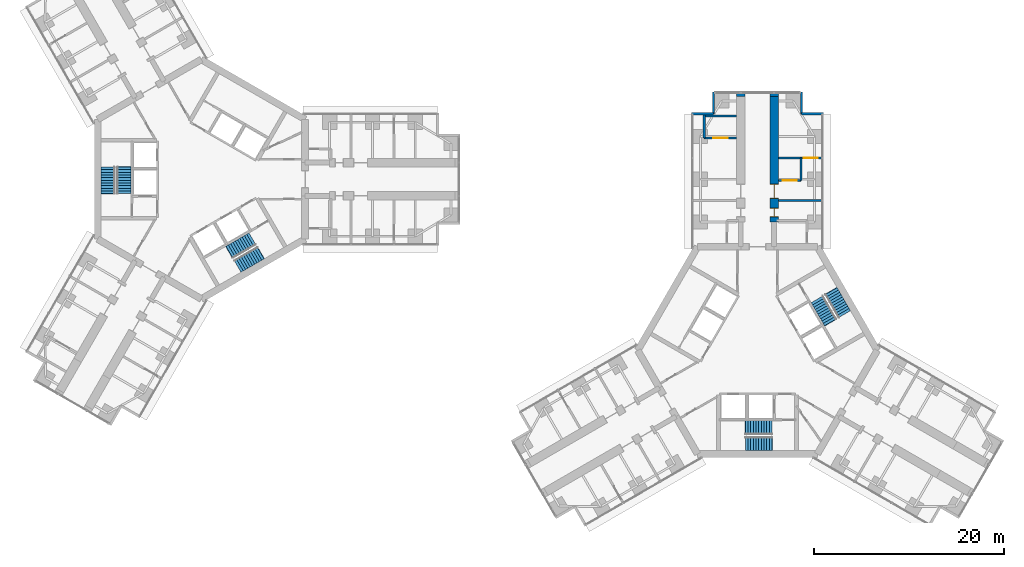
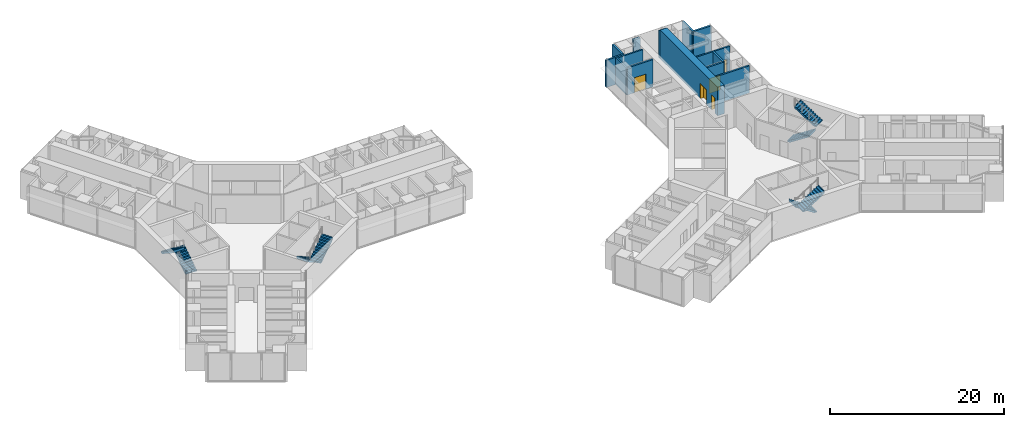
# One storey, part 21 of 22: 14 walls, 8 stair flights, 5 doors, 5 openings, 4 elements without a shape of their own.
"""IFC4 building model written with IfcOpenShell, lengths in metres."""

from ifc_helpers import new_model, si_unit, direction, frame, frame_2d, origin, place, context, subcontext, project, spatial, polyline, rectangle, outline, extrude, material, layer, layer_set, type_object, element, fill, aggregate, save


model = new_model("IFC4")

# Units and contexts
model_context = context("Model", 3, precision=1e-05, world=origin(), true_north=direction((0.0, 1.0)))
body_context = subcontext(model_context, "Body", "Model", "MODEL_VIEW")
ifc_project = project(units=[si_unit("LENGTHUNIT", "METRE"), si_unit("AREAUNIT", "SQUARE_METRE"), si_unit("VOLUMEUNIT", "CUBIC_METRE"), si_unit("PLANEANGLEUNIT", "RADIAN"), si_unit("MASSUNIT", "GRAM", prefix="KILO")], contexts=[model_context])

# Site, building, storey
site_placement = place(None, origin())
site = spatial("IfcSite", under=ifc_project, at=site_placement, CompositionType="ELEMENT")
building_placement = place(site_placement, origin())
building = spatial("IfcBuilding", under=site, at=building_placement, Name="Upepo Twin Towers", CompositionType="ELEMENT")
storey_placement = place(building_placement, frame((0.0, 0.0, 36.5)))
storey = spatial("IfcBuildingStorey", under=building, at=storey_placement, Name="L08", CompositionType="ELEMENT", Elevation=36.5)

# Wall
ifc_material_1 = material(Name="Concrete blockwork, plastered both faces", Category="masonry")
ifc_layer_1 = layer(ifc_material_1, 0.215087890625)
ifc_layer_set_1 = layer_set([ifc_layer_1], Name="Blockwork partition 215")
wall_type_1 = type_object("IfcWallType", Name="Blockwork partition 215", PredefinedType="PARTITIONING", material=ifc_layer_set_1)
wall_1_placement = place(storey_placement, frame((52.89990234375, 4.35009765625, 0.0), z_axis=(0.0, 0.0, 1.0), x_axis=(0.0, 1.0, 0.0)))
element("IfcWall", 1, at=wall_1_placement, inside=storey, type_object=wall_type_1, Name="T2 inner room partition AL at 22.35", PredefinedType="PARTITIONING", context=body_context, shape_type="SweptSolid", body=[
    extrude(rectangle(XDim=2.39990234375, YDim=0.215087890625, at=frame_2d((1.199951171875, 0.0))), origin(), (0.0, 0.0, 1.0), 3.800048828125),
])

# Wall, opening, door
wall_2_placement = place(storey_placement, frame((56.300048828125, 4.35009765625, 0.0), z_axis=(0.0, 0.0, 1.0), x_axis=(-1.0, 0.0, 0.0)))
wall_2 = element("IfcWall", 2, at=wall_2_placement, inside=storey, type_object=wall_type_1, Name="T2 inner room partition AL end at 22.35", PredefinedType="PARTITIONING", context=body_context, shape_type="SweptSolid", body=[
    extrude(rectangle(XDim=3.400146484375, YDim=0.215087890625, at=frame_2d((1.7001953125, 0.0))), origin(), (0.0, 0.0, 1.0), 3.800048828125),
])
opening_1_placement = place(wall_2_placement, frame((0.949951171875, 0.0, 0.0)))
opening_1 = element("IfcOpeningElement", 3, at=opening_1_placement, cuts=wall_2, Name="Opening D13", PredefinedType="OPENING", context=body_context, shape_type="SweptSolid", body=[
    extrude(rectangle(XDim=1.5, YDim=2.10009765625, at=frame_2d((0.75, 1.050048828125))), frame((0.0, 0.117431640625, 0.0), z_axis=(0.0, -1.0, 0.0), x_axis=(1.0, 0.0, 0.0)), (0.0, 0.0, 1.0), 0.235107421875),
])
ifc_material_2 = material(Name="Timber doorset", Category="wood")
door_type_1 = type_object("IfcDoorType", Name="Double door 1500 FD30", OperationType="DOUBLE_DOOR_SINGLE_SWING", PredefinedType="DOOR", material=ifc_material_2)
door_1_placement = place(opening_1_placement, origin())
door_1 = element("IfcDoor", 4, at=door_1_placement, inside=storey, type_object=door_type_1, Name="T2 L08 inner room door", OperationType="DOUBLE_DOOR_SINGLE_SWING", OverallHeight=2.10009765625, OverallWidth=1.5, PredefinedType="DOOR", context=body_context, shape_type="SweptSolid", body=[
    extrude(rectangle(XDim=1.5, YDim=2.10009765625, at=frame_2d((0.75, 1.050048828125))), frame((0.0, 0.02490234375, 0.0), z_axis=(0.0, -1.0, 0.0), x_axis=(1.0, 0.0, 0.0)), (0.0, 0.0, 1.0), 0.050048828125),
])
fill(opening_1, door_1)

# Walls
wall_3_placement = place(storey_placement, frame((56.300048828125, 6.642578125, 0.0), z_axis=(0.0, 0.0, 1.0), x_axis=(-1.0, 0.0, 0.0)))
element("IfcWall", 5, at=wall_3_placement, inside=storey, type_object=wall_type_1, Name="T2 inner room partition AL end at 24.75", PredefinedType="PARTITIONING", context=body_context, shape_type="SweptSolid", body=[
    extrude(rectangle(XDim=3.400146484375, YDim=0.215087890625, at=frame_2d((1.7001953125, 0.0))), origin(), (0.0, 0.0, 1.0), 3.800048828125),
])
wall_4_placement = place(storey_placement, frame((60.699951171875, -2.25, 0.0), z_axis=(0.0, 0.0, 1.0), x_axis=(1.0, 0.0, 0.0)))
element("IfcWall", 6, at=wall_4_placement, inside=storey, type_object=wall_type_1, Name="T2 partition AR at 15.75", PredefinedType="PARTITIONING", context=body_context, shape_type="SweptSolid", body=[
    extrude(rectangle(XDim=4.550048828125, YDim=0.215087890625, at=frame_2d((2.27490234375, 0.0))), origin(), (0.0, 0.0, 1.0), 3.800048828125),
])

# Wall, opening, door
wall_5_placement = place(storey_placement, frame((60.699951171875, 2.25, 0.0), z_axis=(0.0, 0.0, 1.0), x_axis=(1.0, 0.0, 0.0)))
wall_5 = element("IfcWall", 7, at=wall_5_placement, inside=storey, type_object=wall_type_1, Name="T2 partition AR at 20.25", PredefinedType="PARTITIONING", context=body_context, shape_type="SweptSolid", body=[
    extrude(rectangle(XDim=4.550048828125, YDim=0.215087890625, at=frame_2d((2.27490234375, 0.0))), origin(), (0.0, 0.0, 1.0), 3.800048828125),
])
opening_2_placement = place(wall_5_placement, frame((2.64990234375, 0.0, 0.0)))
opening_2 = element("IfcOpeningElement", 8, at=opening_2_placement, cuts=wall_5, Name="Opening D13", PredefinedType="OPENING", context=body_context, shape_type="SweptSolid", body=[
    extrude(rectangle(XDim=1.5, YDim=2.10009765625, at=frame_2d((0.75, 1.050048828125))), frame((0.0, 0.117431640625, 0.0), z_axis=(0.0, -1.0, 0.0), x_axis=(1.0, 0.0, 0.0)), (0.0, 0.0, 1.0), 0.235107421875),
])
door_2_placement = place(opening_2_placement, origin())
door_2 = element("IfcDoor", 9, at=door_2_placement, inside=storey, type_object=door_type_1, Name="T2 L08 connecting door", OperationType="DOUBLE_DOOR_SINGLE_SWING", OverallHeight=2.10009765625, OverallWidth=1.5, PredefinedType="DOOR", context=body_context, shape_type="SweptSolid", body=[
    extrude(rectangle(XDim=1.5, YDim=2.10009765625, at=frame_2d((0.75, 1.050048828125))), frame((0.0, 0.02490234375, 0.0), z_axis=(0.0, -1.0, 0.0), x_axis=(1.0, 0.0, 0.0)), (0.0, 0.0, 1.0), 0.050048828125),
])
fill(opening_2, door_2)

# Wall
wall_6_placement = place(storey_placement, frame((63.10009765625, -0.14990234375, 0.0), z_axis=(0.0, 0.0, 1.0), x_axis=(0.0, 1.0, 0.0)))
element("IfcWall", 10, at=wall_6_placement, inside=storey, type_object=wall_type_1, Name="T2 inner room partition AR at 17.85", PredefinedType="PARTITIONING", context=body_context, shape_type="SweptSolid", body=[
    extrude(rectangle(XDim=2.39990234375, YDim=0.215087890625, at=frame_2d((1.199951171875, 0.0))), origin(), (0.0, 0.0, 1.0), 3.800048828125),
])

# Wall, opening, door
wall_7_placement = place(storey_placement, frame((60.699951171875, -0.14990234375, 0.0), z_axis=(0.0, 0.0, 1.0), x_axis=(1.0, 0.0, 0.0)))
wall_7 = element("IfcWall", 11, at=wall_7_placement, inside=storey, type_object=wall_type_1, Name="T2 inner room partition AR end at 17.85", PredefinedType="PARTITIONING", context=body_context, shape_type="SweptSolid", body=[
    extrude(rectangle(XDim=2.400146484375, YDim=0.215087890625, at=frame_2d((1.2001953125, 0.0))), origin(), (0.0, 0.0, 1.0), 3.800048828125),
])
opening_3_placement = place(wall_7_placement, frame((0.449951171875, 0.0, 0.0)))
opening_3 = element("IfcOpeningElement", 12, at=opening_3_placement, cuts=wall_7, Name="Opening D13", PredefinedType="OPENING", context=body_context, shape_type="SweptSolid", body=[
    extrude(rectangle(XDim=1.5, YDim=2.10009765625, at=frame_2d((0.75, 1.050048828125))), frame((0.0, 0.117431640625, 0.0), z_axis=(0.0, -1.0, 0.0), x_axis=(1.0, 0.0, 0.0)), (0.0, 0.0, 1.0), 0.235107421875),
])
door_3_placement = place(opening_3_placement, origin())
door_3 = element("IfcDoor", 13, at=door_3_placement, inside=storey, type_object=door_type_1, Name="T2 L08 inner room door", OperationType="DOUBLE_DOOR_SINGLE_SWING", OverallHeight=2.10009765625, OverallWidth=1.5, PredefinedType="DOOR", context=body_context, shape_type="SweptSolid", body=[
    extrude(rectangle(XDim=1.5, YDim=2.10009765625, at=frame_2d((0.75, 1.050048828125))), frame((0.0, 0.02490234375, 0.0), z_axis=(0.0, -1.0, 0.0), x_axis=(1.0, 0.0, 0.0)), (0.0, 0.0, 1.0), 0.050048828125),
])
fill(opening_3, door_3)

# Walls
ifc_material_3 = material(Name="Dense concrete blockwork", Category="masonry")
ifc_layer_2 = layer(ifc_material_3, 0.89990234375)
ifc_layer_set_2 = layer_set([ifc_layer_2], Name="Buttress closer 900, blockwork with fire-stopping to the curtain wall")
wall_type_2 = type_object("IfcWallType", Name="Buttress closer 900, blockwork with fire-stopping to the curtain wall", PredefinedType="PARTITIONING", material=ifc_layer_set_2)
for number, where, z_axis, x_axis, name in (
    (14, (56.75, 8.699951171875, 0.0), (0.0, 0.0, 1.0), (0.0, 1.0, 0.0), "T2 L08 wing A buttress closer L"),
    (15, (60.25, 8.699951171875, 0.0), (0.0, 0.0, 1.0), (0.0, 1.0, 0.0), "T2 L08 wing A buttress closer R"),
):
    element("IfcWall", number, at=place(storey_placement, frame(where, z_axis=z_axis, x_axis=x_axis)), inside=storey, type_object=wall_type_2, Name=name, PredefinedType="PARTITIONING", context=body_context, shape_type="SweptSolid", body=[
        extrude(rectangle(XDim=0.31005859375, YDim=0.89990234375, at=frame_2d((0.155029296875, 0.0))), origin(), (0.0, 0.0, 1.0), 3.800048828125),
    ])

# Wall, openings, doors
ifc_material_4 = material(Name="Concrete C60/75", Category="concrete")
ifc_layer_3 = layer(ifc_material_4, 0.89990234375)
ifc_layer_set_3 = layer_set([ifc_layer_3], Name="Concrete C60/75")
wall_type_3 = type_object("IfcWallType", Name="Buttress wall 900 RC", PredefinedType="SHEAR", material=ifc_layer_set_3)
wall_8_placement = place(storey_placement, frame((60.25, -4.5, 0.0), z_axis=(0.0, 0.0, 1.0), x_axis=(0.0, 1.0, 0.0)))
wall_8 = element("IfcWall", 16, at=wall_8_placement, inside=storey, type_object=wall_type_3, Name="T2 wing A buttress wall R part 2", PredefinedType="SHEAR", context=body_context, shape_type="SweptSolid", body=[
    extrude(rectangle(XDim=13.199951171875, YDim=0.89990234375, at=frame_2d((6.60009765625, 0.0))), origin(), (0.0, 0.0, 1.0), 4.0),
])
opening_4_placement = place(wall_8_placement, frame((0.550048828125, 0.0, 0.0)))
opening_4 = element("IfcOpeningElement", 17, at=opening_4_placement, cuts=wall_8, Name="Opening D11", PredefinedType="OPENING", context=body_context, shape_type="SweptSolid", body=[
    extrude(rectangle(XDim=0.89990234375, YDim=2.10009765625, at=frame_2d((0.449951171875, 1.050048828125))), frame((0.0, 0.4599609375, 0.0), z_axis=(0.0, -1.0, 0.0), x_axis=(1.0, 0.0, 0.0)), (0.0, 0.0, 1.0), 0.919921875),
])
opening_5_placement = place(wall_8_placement, frame((2.5, 0.0, 0.0)))
opening_5 = element("IfcOpeningElement", 18, at=opening_5_placement, cuts=wall_8, Name="Opening D13", PredefinedType="OPENING", context=body_context, shape_type="SweptSolid", body=[
    extrude(rectangle(XDim=1.5, YDim=2.10009765625, at=frame_2d((0.75, 1.050048828125))), frame((0.0, 0.4599609375, 0.0), z_axis=(0.0, -1.0, 0.0), x_axis=(1.0, 0.0, 0.0)), (0.0, 0.0, 1.0), 0.919921875),
])
door_4_placement = place(opening_5_placement, origin())
door_4 = element("IfcDoor", 19, at=door_4_placement, inside=storey, type_object=door_type_1, Name="T2 L08 tutorial room door", OperationType="DOUBLE_DOOR_SINGLE_SWING", OverallHeight=2.10009765625, OverallWidth=1.5, PredefinedType="DOOR", context=body_context, shape_type="SweptSolid", body=[
    extrude(rectangle(XDim=1.42, YDim=2.06009765625, at=frame_2d((0.75, 1.030029296875))), frame((0.0, 0.02490234375, 0.0), z_axis=(0.0, -1.0, 0.0), x_axis=(1.0, 0.0, 0.0)), (0.0, 0.0, 1.0), 0.050048828125),
    extrude(rectangle(XDim=0.04, YDim=2.10009765625, at=frame_2d((0.02001953125, 1.050048828125))), frame((0.0, 0.44970703125, 0.0), z_axis=(0.0, -1.0, 0.0), x_axis=(1.0, 0.0, 0.0)), (0.0, 0.0, 1.0), 0.8994140625),
    extrude(rectangle(XDim=0.04, YDim=2.10009765625, at=frame_2d((1.47998046875, 1.050048828125))), frame((0.0, 0.44970703125, 0.0), z_axis=(0.0, -1.0, 0.0), x_axis=(1.0, 0.0, 0.0)), (0.0, 0.0, 1.0), 0.8994140625),
    extrude(rectangle(XDim=1.42, YDim=0.04, at=frame_2d((0.75, 2.080078125))), frame((0.0, 0.44970703125, 0.0), z_axis=(0.0, -1.0, 0.0), x_axis=(1.0, 0.0, 0.0)), (0.0, 0.0, 1.0), 0.8994140625),
])
fill(opening_5, door_4)
ifc_material_5 = material(Name="Timber doorset", Category="wood")
door_type_2 = type_object("IfcDoorType", Name="Toilet door 900", OperationType="SINGLE_SWING_LEFT", PredefinedType="DOOR", material=ifc_material_5)
door_5_placement = place(opening_4_placement, origin())
door_5 = element("IfcDoor", 20, at=door_5_placement, inside=storey, type_object=door_type_2, Name="T2 L08 accessible wc door", OperationType="SINGLE_SWING_LEFT", OverallHeight=2.10009765625, OverallWidth=0.89990234375, PredefinedType="DOOR", context=body_context, shape_type="SweptSolid", body=[
    extrude(rectangle(XDim=0.81990234375, YDim=2.06009765625, at=frame_2d((0.449951171875, 1.030029296875))), frame((0.0, 0.02490234375, 0.0), z_axis=(0.0, -1.0, 0.0), x_axis=(1.0, 0.0, 0.0)), (0.0, 0.0, 1.0), 0.050048828125),
    extrude(rectangle(XDim=0.04, YDim=2.10009765625, at=frame_2d((0.02001953125, 1.050048828125))), frame((0.0, 0.44970703125, 0.0), z_axis=(0.0, -1.0, 0.0), x_axis=(1.0, 0.0, 0.0)), (0.0, 0.0, 1.0), 0.8994140625),
    extrude(rectangle(XDim=0.04, YDim=2.10009765625, at=frame_2d((0.8798828125, 1.050048828125))), frame((0.0, 0.44970703125, 0.0), z_axis=(0.0, -1.0, 0.0), x_axis=(1.0, 0.0, 0.0)), (0.0, 0.0, 1.0), 0.8994140625),
    extrude(rectangle(XDim=0.81990234375, YDim=0.04, at=frame_2d((0.449951171875, 2.080078125))), frame((0.0, 0.44970703125, 0.0), z_axis=(0.0, -1.0, 0.0), x_axis=(1.0, 0.0, 0.0)), (0.0, 0.0, 1.0), 0.8994140625),
])
fill(opening_4, door_5)

# Walls
ifc_material_6 = material(Name="Blockwork with anodised aluminium cladding", Category="masonry")
ifc_layer_4 = layer(ifc_material_6, 0.25)
ifc_layer_set_4 = layer_set([ifc_layer_4], Name="Notch cladding wall 250, pale metal")
wall_type_4 = type_object("IfcWallType", Name="Notch cladding wall 250, pale metal", PredefinedType="STANDARD", material=ifc_layer_set_4)
for number, where, z_axis, x_axis, name in (
    (21, (51.550048828125, 6.875, 0.0), (0.0, 0.0, 1.0), (1.0, 0.0, 0.0), "T2 L08 wing A notch wall L1"),
    (22, (53.875, 6.875, 0.0), (0.0, 0.0, 1.0), (0.0, 1.0, 0.0), "T2 L08 wing A notch wall L2"),
    (23, (65.449951171875, 6.875, 0.0), (0.0, 0.0, 1.0), (-1.0, 0.0, 0.0), "T2 L08 wing A notch wall R1"),
    (24, (63.125, 6.875, 0.0), (0.0, 0.0, 1.0), (0.0, 1.0, 0.0), "T2 L08 wing A notch wall R2"),
):
    element("IfcWall", number, at=place(storey_placement, frame(where, z_axis=z_axis, x_axis=x_axis)), inside=storey, type_object=wall_type_4, Name=name, PredefinedType="STANDARD", context=body_context, shape_type="SweptSolid", body=[
        extrude(rectangle(XDim=2.324951171875, YDim=0.25, at=frame_2d((1.16259765625, 0.0))), origin(), (0.0, 0.0, 1.0), 3.800048828125),
    ])

# Stair, stair flights
ifc_material_7 = material(Name="Concrete C40/50", Category="concrete")
stair_type = type_object("IfcStairType", Name="Core stair, two flights", PredefinedType="HALF_TURN_STAIR", material=ifc_material_7)
stair_1_placement = place(storey_placement, origin())
stair_1 = element("IfcStair", 25, at=stair_1_placement, inside=storey, type_object=stair_type, Name="T1 stair S1 L08", PredefinedType="HALF_TURN_STAIR")
ifc_material_8 = material(Name="Concrete C40/50", Category="concrete")
stair_flight_type = type_object("IfcStairFlightType", Name="Stair flight 1450 RC", PredefinedType="STRAIGHT", material=ifc_material_8)
stair_flight_1_placement = place(storey_placement, frame((-8.125, -1.52001953125, 0.0), z_axis=(0.0, 0.0, 1.0), x_axis=(0.0, 1.0, 0.0)))
stair_flight_1 = element("IfcStairFlight", 26, at=stair_flight_1_placement, type_object=stair_flight_type, Name="Stair S1 flight 1", NumberOfRisers=11, NumberOfTreads=10, PredefinedType="STRAIGHT", RiserHeight=0.181818182, TreadLength=0.28, context=body_context, shape_type="SweptSolid", body=[
    extrude(outline(polyline([(0.0, 0.0), (0.0, 0.181884765625), (0.280029296875, 0.181884765625), (0.280029296875, 0.363525390625), (0.56005859375, 0.363525390625), (0.56005859375, 0.54541015625), (0.840087890625, 0.54541015625), (0.840087890625, 0.727294921875), (1.1201171875, 0.727294921875), (1.1201171875, 0.9091796875), (1.39990234375, 0.9091796875), (1.39990234375, 1.0908203125), (1.679931640625, 1.0908203125), (1.679931640625, 1.272705078125), (1.9599609375, 1.272705078125), (1.9599609375, 1.45458984375), (2.239990234375, 1.45458984375), (2.239990234375, 1.636474609375), (2.52001953125, 1.636474609375), (2.52001953125, 1.818115234375), (2.800048828125, 1.818115234375), (2.800048828125, 2.0), (2.85009765625, 2.0), (2.85009765625, 1.639404296875), (0.3251953125, 0.0), (0.0, 0.0)])), frame((0.0, 0.72509765625, 0.0), z_axis=(0.0, -1.0, 0.0), x_axis=(1.0, 0.0, 0.0)), (0.0, 0.0, 1.0), 1.449951171875),
])
stair_flight_2_placement = place(storey_placement, frame((-9.833251953125, 1.280029296875, 2.0), z_axis=(0.0, 0.0, 1.0), x_axis=(0.0, -1.0, 0.0)))
stair_flight_2 = element("IfcStairFlight", 27, at=stair_flight_2_placement, type_object=stair_flight_type, Name="Stair S1 flight 2", NumberOfRisers=11, NumberOfTreads=10, PredefinedType="STRAIGHT", RiserHeight=0.181818182, TreadLength=0.28, context=body_context, shape_type="SweptSolid", body=[
    extrude(outline(polyline([(0.0, 0.0), (0.0, 0.181884765625), (0.280029296875, 0.181884765625), (0.280029296875, 0.363525390625), (0.56005859375, 0.363525390625), (0.56005859375, 0.54541015625), (0.840087890625, 0.54541015625), (0.840087890625, 0.727294921875), (1.1201171875, 0.727294921875), (1.1201171875, 0.9091796875), (1.39990234375, 0.9091796875), (1.39990234375, 1.0908203125), (1.679931640625, 1.0908203125), (1.679931640625, 1.272705078125), (1.9599609375, 1.272705078125), (1.9599609375, 1.45458984375), (2.239990234375, 1.45458984375), (2.239990234375, 1.636474609375), (2.52001953125, 1.636474609375), (2.52001953125, 1.818115234375), (2.800048828125, 1.818115234375), (2.800048828125, 2.0), (2.85009765625, 2.0), (2.85009765625, 1.639404296875), (0.3251953125, 0.0), (0.0, 0.0)])), frame((0.0, 0.72509765625, 0.0), z_axis=(0.0, -1.0, 0.0), x_axis=(1.0, 0.0, 0.0)), (0.0, 0.0, 1.0), 1.449951171875),
])
aggregate(stair_1, [stair_flight_1, stair_flight_2])

stair_2_placement = place(storey_placement, origin())
stair_2 = element("IfcStair", 28, at=stair_2_placement, inside=storey, type_object=stair_type, Name="T1 stair S2 L08", PredefinedType="HALF_TURN_STAIR")
stair_flight_3_placement = place(storey_placement, frame((5.37890625, -6.2763671875, 0.0), z_axis=(0.0, 0.0, 1.0), x_axis=(-0.866025403784, -0.5, 0.0)))
stair_flight_3 = element("IfcStairFlight", 29, at=stair_flight_3_placement, type_object=stair_flight_type, Name="Stair S2 flight 1", NumberOfRisers=11, NumberOfTreads=10, PredefinedType="STRAIGHT", RiserHeight=0.181818182, TreadLength=0.28, context=body_context, shape_type="SweptSolid", body=[
    extrude(outline(polyline([(0.0, 0.0), (0.0, 0.181884765625), (0.280029296875, 0.181884765625), (0.280029296875, 0.363525390625), (0.56005859375, 0.363525390625), (0.56005859375, 0.54541015625), (0.840087890625, 0.54541015625), (0.840087890625, 0.727294921875), (1.1201171875, 0.727294921875), (1.1201171875, 0.9091796875), (1.39990234375, 0.9091796875), (1.39990234375, 1.0908203125), (1.679931640625, 1.0908203125), (1.679931640625, 1.272705078125), (1.9599609375, 1.272705078125), (1.9599609375, 1.45458984375), (2.239990234375, 1.45458984375), (2.239990234375, 1.636474609375), (2.52001953125, 1.636474609375), (2.52001953125, 1.818115234375), (2.800048828125, 1.818115234375), (2.800048828125, 2.0), (2.85009765625, 2.0), (2.85009765625, 1.639404296875), (0.3251953125, 0.0), (0.0, 0.0)])), frame((0.0, 0.72509765625, 0.0), z_axis=(0.0, -1.0, 0.0), x_axis=(1.0, 0.0, 0.0)), (0.0, 0.0, 1.0), 1.449951171875),
])
stair_flight_4_placement = place(storey_placement, frame((3.80810546875, -9.156005859375, 2.0), z_axis=(0.0, 0.0, 1.0), x_axis=(0.866025403784, 0.5, 0.0)))
stair_flight_4 = element("IfcStairFlight", 30, at=stair_flight_4_placement, type_object=stair_flight_type, Name="Stair S2 flight 2", NumberOfRisers=11, NumberOfTreads=10, PredefinedType="STRAIGHT", RiserHeight=0.181818182, TreadLength=0.28, context=body_context, shape_type="SweptSolid", body=[
    extrude(outline(polyline([(0.0, 0.0), (0.0, 0.181884765625), (0.280029296875, 0.181884765625), (0.280029296875, 0.363525390625), (0.56005859375, 0.363525390625), (0.56005859375, 0.54541015625), (0.840087890625, 0.54541015625), (0.840087890625, 0.727294921875), (1.1201171875, 0.727294921875), (1.1201171875, 0.9091796875), (1.39990234375, 0.9091796875), (1.39990234375, 1.0908203125), (1.679931640625, 1.0908203125), (1.679931640625, 1.272705078125), (1.9599609375, 1.272705078125), (1.9599609375, 1.45458984375), (2.239990234375, 1.45458984375), (2.239990234375, 1.636474609375), (2.52001953125, 1.636474609375), (2.52001953125, 1.818115234375), (2.800048828125, 1.818115234375), (2.800048828125, 2.0), (2.85009765625, 2.0), (2.85009765625, 1.639404296875), (0.3251953125, 0.0), (0.0, 0.0)])), frame((0.0, 0.72509765625, 0.0), z_axis=(0.0, -1.0, 0.0), x_axis=(1.0, 0.0, 0.0)), (0.0, 0.0, 1.0), 1.449951171875),
])
aggregate(stair_2, [stair_flight_3, stair_flight_4])

stair_3_placement = place(storey_placement, origin())
stair_3 = element("IfcStair", 31, at=stair_3_placement, inside=storey, type_object=stair_type, Name="T2 stair S1 L08", PredefinedType="HALF_TURN_STAIR")
stair_flight_5_placement = place(storey_placement, frame((60.02001953125, -26.125, 0.0), z_axis=(0.0, 0.0, 1.0), x_axis=(-1.0, 0.0, 0.0)))
stair_flight_5 = element("IfcStairFlight", 32, at=stair_flight_5_placement, type_object=stair_flight_type, Name="Stair S1 flight 1", NumberOfRisers=11, NumberOfTreads=10, PredefinedType="STRAIGHT", RiserHeight=0.181818182, TreadLength=0.28, context=body_context, shape_type="SweptSolid", body=[
    extrude(outline(polyline([(0.0, 0.0), (0.0, 0.181884765625), (0.280029296875, 0.181884765625), (0.280029296875, 0.363525390625), (0.56005859375, 0.363525390625), (0.56005859375, 0.54541015625), (0.840087890625, 0.54541015625), (0.840087890625, 0.727294921875), (1.1201171875, 0.727294921875), (1.1201171875, 0.9091796875), (1.39990234375, 0.9091796875), (1.39990234375, 1.0908203125), (1.679931640625, 1.0908203125), (1.679931640625, 1.272705078125), (1.9599609375, 1.272705078125), (1.9599609375, 1.45458984375), (2.239990234375, 1.45458984375), (2.239990234375, 1.636474609375), (2.52001953125, 1.636474609375), (2.52001953125, 1.818115234375), (2.800048828125, 1.818115234375), (2.800048828125, 2.0), (2.85009765625, 2.0), (2.85009765625, 1.639404296875), (0.3251953125, 0.0), (0.0, 0.0)])), frame((0.0, 0.72509765625, 0.0), z_axis=(0.0, -1.0, 0.0), x_axis=(1.0, 0.0, 0.0)), (0.0, 0.0, 1.0), 1.449951171875),
])
stair_flight_6_placement = place(storey_placement, frame((57.219970703125, -27.833251953125, 2.0), z_axis=(0.0, 0.0, 1.0), x_axis=(1.0, 0.0, 0.0)))
stair_flight_6 = element("IfcStairFlight", 33, at=stair_flight_6_placement, type_object=stair_flight_type, Name="Stair S1 flight 2", NumberOfRisers=11, NumberOfTreads=10, PredefinedType="STRAIGHT", RiserHeight=0.181818182, TreadLength=0.28, context=body_context, shape_type="SweptSolid", body=[
    extrude(outline(polyline([(0.0, 0.0), (0.0, 0.181884765625), (0.280029296875, 0.181884765625), (0.280029296875, 0.363525390625), (0.56005859375, 0.363525390625), (0.56005859375, 0.54541015625), (0.840087890625, 0.54541015625), (0.840087890625, 0.727294921875), (1.1201171875, 0.727294921875), (1.1201171875, 0.9091796875), (1.39990234375, 0.9091796875), (1.39990234375, 1.0908203125), (1.679931640625, 1.0908203125), (1.679931640625, 1.272705078125), (1.9599609375, 1.272705078125), (1.9599609375, 1.45458984375), (2.239990234375, 1.45458984375), (2.239990234375, 1.636474609375), (2.52001953125, 1.636474609375), (2.52001953125, 1.818115234375), (2.800048828125, 1.818115234375), (2.800048828125, 2.0), (2.85009765625, 2.0), (2.85009765625, 1.639404296875), (0.3251953125, 0.0), (0.0, 0.0)])), frame((0.0, 0.72509765625, 0.0), z_axis=(0.0, -1.0, 0.0), x_axis=(1.0, 0.0, 0.0)), (0.0, 0.0, 1.0), 1.449951171875),
])
aggregate(stair_3, [stair_flight_5, stair_flight_6])

stair_4_placement = place(storey_placement, origin())
stair_4 = element("IfcStair", 34, at=stair_4_placement, inside=storey, type_object=stair_type, Name="T2 stair S2 L08", PredefinedType="HALF_TURN_STAIR")
stair_flight_7_placement = place(storey_placement, frame((64.7763671875, -12.62109375, 0.0), z_axis=(0.0, 0.0, 1.0), x_axis=(0.5, -0.866025403784, 0.0)))
stair_flight_7 = element("IfcStairFlight", 35, at=stair_flight_7_placement, type_object=stair_flight_type, Name="Stair S2 flight 1", NumberOfRisers=11, NumberOfTreads=10, PredefinedType="STRAIGHT", RiserHeight=0.181818182, TreadLength=0.28, context=body_context, shape_type="SweptSolid", body=[
    extrude(outline(polyline([(0.0, 0.0), (0.0, 0.181884765625), (0.280029296875, 0.181884765625), (0.280029296875, 0.363525390625), (0.56005859375, 0.363525390625), (0.56005859375, 0.54541015625), (0.840087890625, 0.54541015625), (0.840087890625, 0.727294921875), (1.1201171875, 0.727294921875), (1.1201171875, 0.9091796875), (1.39990234375, 0.9091796875), (1.39990234375, 1.0908203125), (1.679931640625, 1.0908203125), (1.679931640625, 1.272705078125), (1.9599609375, 1.272705078125), (1.9599609375, 1.45458984375), (2.239990234375, 1.45458984375), (2.239990234375, 1.636474609375), (2.52001953125, 1.636474609375), (2.52001953125, 1.818115234375), (2.800048828125, 1.818115234375), (2.800048828125, 2.0), (2.85009765625, 2.0), (2.85009765625, 1.639404296875), (0.3251953125, 0.0), (0.0, 0.0)])), frame((0.0, 0.72509765625, 0.0), z_axis=(0.0, -1.0, 0.0), x_axis=(1.0, 0.0, 0.0)), (0.0, 0.0, 1.0), 1.449951171875),
])
stair_flight_8_placement = place(storey_placement, frame((67.656005859375, -14.19189453125, 2.0), z_axis=(0.0, 0.0, 1.0), x_axis=(-0.5, 0.866025403784, 0.0)))
stair_flight_8 = element("IfcStairFlight", 36, at=stair_flight_8_placement, type_object=stair_flight_type, Name="Stair S2 flight 2", NumberOfRisers=11, NumberOfTreads=10, PredefinedType="STRAIGHT", RiserHeight=0.181818182, TreadLength=0.28, context=body_context, shape_type="SweptSolid", body=[
    extrude(outline(polyline([(0.0, 0.0), (0.0, 0.181884765625), (0.280029296875, 0.181884765625), (0.280029296875, 0.363525390625), (0.56005859375, 0.363525390625), (0.56005859375, 0.54541015625), (0.840087890625, 0.54541015625), (0.840087890625, 0.727294921875), (1.1201171875, 0.727294921875), (1.1201171875, 0.9091796875), (1.39990234375, 0.9091796875), (1.39990234375, 1.0908203125), (1.679931640625, 1.0908203125), (1.679931640625, 1.272705078125), (1.9599609375, 1.272705078125), (1.9599609375, 1.45458984375), (2.239990234375, 1.45458984375), (2.239990234375, 1.636474609375), (2.52001953125, 1.636474609375), (2.52001953125, 1.818115234375), (2.800048828125, 1.818115234375), (2.800048828125, 2.0), (2.85009765625, 2.0), (2.85009765625, 1.639404296875), (0.3251953125, 0.0), (0.0, 0.0)])), frame((0.0, 0.72509765625, 0.0), z_axis=(0.0, -1.0, 0.0), x_axis=(1.0, 0.0, 0.0)), (0.0, 0.0, 1.0), 1.449951171875),
])
aggregate(stair_4, [stair_flight_7, stair_flight_8])

save(model, "model.ifc")
